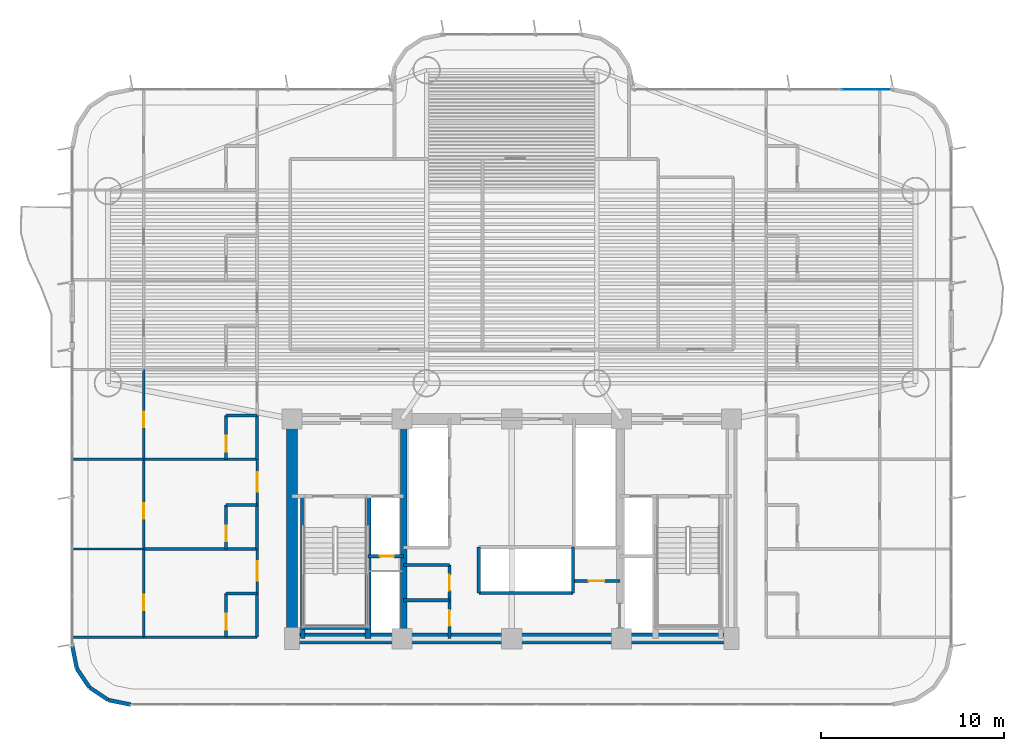
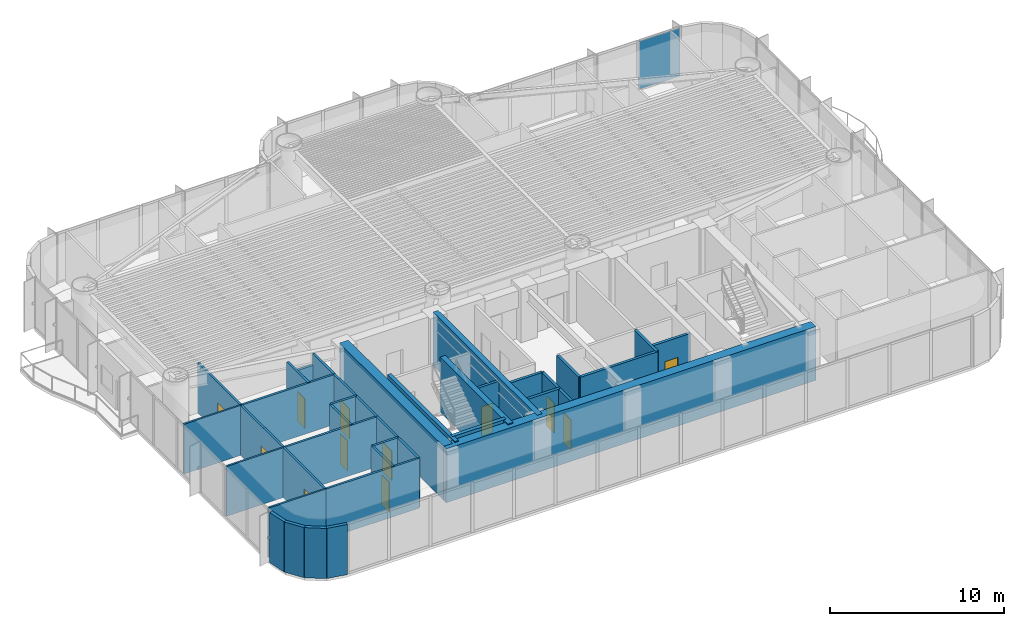
# One storey, part 10 of 19: 38 walls, 12 doors, 1 plate, 12 openings, 1 element without a shape of its own.
"""IFC4 building model written with IfcOpenShell, lengths in metres."""

from ifc_helpers import new_model, si_unit, direction, frame, frame_2d, origin, origin_2d, place, context, subcontext, project, spatial, rectangle, extrude, source, transform, mapped, material, layer, layer_set, type_object, element, fill, aggregate, save


model = new_model("IFC4")

# Units and contexts
model_context = context("Model", 3, precision=1e-05, world=origin(), true_north=direction((0.0, 1.0)))
body_context = subcontext(model_context, "Body", "Model", "MODEL_VIEW")
ifc_project = project(units=[si_unit("LENGTHUNIT", "METRE"), si_unit("AREAUNIT", "SQUARE_METRE"), si_unit("VOLUMEUNIT", "CUBIC_METRE"), si_unit("PLANEANGLEUNIT", "RADIAN"), si_unit("MASSUNIT", "GRAM", prefix="KILO")], contexts=[model_context])

# Site, building, storey
site_placement = place(None, origin())
site = spatial("IfcSite", under=ifc_project, at=site_placement, CompositionType="ELEMENT")
building_placement = place(site_placement, origin())
building = spatial("IfcBuilding", under=site, at=building_placement, Name="Brelvock Crest Care Tower", CompositionType="ELEMENT")
storey_placement = place(building_placement, frame((0.0, 0.0, 64.800048828125)))
storey = spatial("IfcBuildingStorey", under=building, at=storey_placement, Name="L16", CompositionType="ELEMENT", Elevation=64.800048828125)

# Curtain wall, plate
ifc_material_1 = material(Name="Dark Glass Double Glazed Low-E", Category="glass")
ifc_layer_1 = layer(ifc_material_1, 0.195068359375, Name="CWS-2")
ifc_layer_set_1 = layer_set([ifc_layer_1], Name="Dark Glass Double Glazed Low-E")
curtain_wall_type = type_object("IfcCurtainWallType", Name="CWS-2", PredefinedType="NOTDEFINED", material=ifc_layer_set_1)
curtain_wall_placement = place(storey_placement, origin())
curtain_wall = element("IfcCurtainWall", 1, at=curtain_wall_placement, inside=storey, type_object=curtain_wall_type, Name="L16 Curtain Wall E30", PredefinedType="NOTDEFINED")
ifc_layer_2 = layer(ifc_material_1, 0.031982421875, Name="CWP-V1")
ifc_layer_set_2 = layer_set([ifc_layer_2], Name="Dark Glass Double Glazed Low-E")
plate_type = type_object("IfcPlateType", Name="CWP-V1", PredefinedType="CURTAIN_PANEL", material=ifc_layer_set_2)
shared_shape_1 = source(origin(), body_context, "Body", "SweptSolid", [
    extrude(rectangle(XDim=2.742431640625, YDim=0.035888671875, at=origin_2d()), origin(), (0.0, 0.0, 1.0), 3.39990234375),
])
plate_placement = place(storey_placement, frame((55.36376953125, 36.0, 0.06494140625), z_axis=(0.0, 0.0, 1.0), x_axis=(1.0, 0.0, 0.0)))
plate = element("IfcPlate", 2, at=plate_placement, type_object=plate_type, Name="CW-2 panel 5.1", PredefinedType="CURTAIN_PANEL", context=body_context, shape_type="MappedRepresentation", body=[
    mapped(shared_shape_1, transform((0.0, 0.0, 0.0), x_axis=(1.0, 0.0, 0.0), y_axis=(0.0, 1.0, 0.0), z_axis=(0.0, 0.0, 1.0), scale=1.0)),
])
aggregate(curtain_wall, [plate])

# Walls
ifc_material_2 = material(Name="Concrete S80 (80 MPa)", Category="concrete")
ifc_layer_3 = layer(ifc_material_2, 0.60009765625, Name="WL-CS1")
ifc_layer_set_3 = layer_set([ifc_layer_3], Name="Concrete S80 (80 MPa)")
wall_type_1 = type_object("IfcWallType", Name="WL-CS1", PredefinedType="SHEAR", material=ifc_layer_set_3)
wall_1_placement = place(storey_placement, frame((48.300048828125, 6.0, 0.0), z_axis=(0.0, 0.0, 1.0), x_axis=(-1.0, 0.0, 0.0)))
element("IfcWall", 3, at=wall_1_placement, inside=storey, type_object=wall_type_1, Name="L16 Core South Shear Wall", PredefinedType="SHEAR", context=body_context, shape_type="SweptSolid", body=[
    extrude(rectangle(XDim=24.60009765625, YDim=0.60009765625, at=frame_2d((12.300048828125, 0.0))), origin(), (0.0, 0.0, 1.0), 3.780029296875),
])
wall_2_placement = place(storey_placement, frame((24.0, 6.0, 0.0), z_axis=(0.0, 0.0, 1.0), x_axis=(0.0, 1.0, 0.0)))
element("IfcWall", 4, at=wall_2_placement, inside=storey, type_object=wall_type_1, Name="L16 Core West Shear Wall", PredefinedType="SHEAR", context=body_context, shape_type="SweptSolid", body=[
    extrude(rectangle(XDim=12.0, YDim=0.60009765625, at=frame_2d((6.0, 0.0))), origin(), (0.0, 0.0, 1.0), 3.780029296875),
])
ifc_layer_4 = layer(ifc_material_2, 0.35009765625, Name="WL-CS5")
ifc_layer_set_4 = layer_set([ifc_layer_4], Name="Concrete S80 (80 MPa)")
wall_type_2 = type_object("IfcWallType", Name="WL-CS5", PredefinedType="SHEAR", material=ifc_layer_set_4)
wall_3_placement = place(storey_placement, frame((30.10009765625, 6.0, 0.0), z_axis=(0.0, 0.0, 1.0), x_axis=(0.0, 1.0, 0.0)))
element("IfcWall", 5, at=wall_3_placement, inside=storey, type_object=wall_type_2, Name="L16 Core Internal Web Wall West", PredefinedType="SHEAR", context=body_context, shape_type="SweptSolid", body=[
    extrude(rectangle(XDim=12.0, YDim=0.35009765625, at=frame_2d((6.0, 0.0))), origin(), (0.0, 0.0, 1.0), 3.780029296875),
])
wall_4_placement = place(storey_placement, frame((28.14990234375, 6.0, 0.0), z_axis=(0.0, 0.0, 1.0), x_axis=(0.0, 1.0, 0.0)))
element("IfcWall", 6, at=wall_4_placement, inside=storey, type_object=wall_type_2, Name="L16 Core Stair ST-1 East Shear Wall", PredefinedType="SHEAR", context=body_context, shape_type="SweptSolid", body=[
    extrude(rectangle(XDim=7.780029296875, YDim=0.35009765625, at=frame_2d((3.89013671875, 0.0))), origin(), (0.0, 0.0, 1.0), 3.849853515625),
])
ifc_layer_5 = layer(ifc_material_2, 0.25, Name="WL-CS6")
ifc_layer_set_5 = layer_set([ifc_layer_5], Name="Concrete S80 (80 MPa)")
wall_type_3 = type_object("IfcWallType", Name="WL-CS6", PredefinedType="SHEAR", material=ifc_layer_set_5)
wall_5_placement = place(storey_placement, frame((24.580078125, 6.0, 0.0), z_axis=(0.0, 0.0, 1.0), x_axis=(0.0, 1.0, 0.0)))
element("IfcWall", 7, at=wall_5_placement, inside=storey, type_object=wall_type_3, Name="L16 Core Stair ST-1 West Shear Wall", PredefinedType="SHEAR", context=body_context, shape_type="SweptSolid", body=[
    extrude(rectangle(XDim=7.780029296875, YDim=0.25, at=frame_2d((3.89013671875, 0.0))), origin(), (0.0, 0.0, 1.0), 3.849853515625),
])
wall_6_placement = place(storey_placement, frame((24.580078125, 6.6201171875, 0.0), z_axis=(0.0, 0.0, 1.0), x_axis=(1.0, 0.0, 0.0)))
element("IfcWall", 8, at=wall_6_placement, inside=storey, type_object=wall_type_3, Name="L16 Core Stair ST-1 South Shear Wall", PredefinedType="SHEAR", context=body_context, shape_type="SweptSolid", body=[
    extrude(rectangle(XDim=3.56982421875, YDim=0.25, at=frame_2d((1.784912109375, 0.0))), origin(), (0.0, 0.0, 1.0), 3.849853515625),
])
ifc_material_3 = material(Name="Precast concrete N40 (40 MPa)", Category="concrete")
ifc_layer_6 = layer(ifc_material_3, 0.215087890625, Name="WL-EX2")
ifc_layer_set_6 = layer_set([ifc_layer_6], Name="Precast concrete N40 (40 MPa)")
wall_type_4 = type_object("IfcWallType", Name="WL-EX2", PredefinedType="SOLIDWALL", material=ifc_layer_set_6)
for number, where, z_axis, x_axis, name in (
    (9, (15.199951171875, 2.39990234375, 0.0), (0.0, 0.0, 1.0), (-0.980775717779, 0.195138390419, 0.0), "L16 Rounded Corner Wall 09"),
    (10, (13.975341796875, 2.6435546875, 0.0), (0.0, 0.0, 1.0), (-0.831387912822, 0.555692485475, 0.0), "L16 Rounded Corner Wall 10"),
    (11, (12.937255859375, 3.33740234375, 0.0), (0.0, 0.0, 1.0), (-0.555557312883, 0.831478245117, 0.0), "L16 Rounded Corner Wall 11"),
    (12, (12.24365234375, 4.37548828125, 0.0), (0.0, 0.0, 1.0), (-0.195138390419, 0.980775717779, 0.0), "L16 Rounded Corner Wall 12"),
):
    element("IfcWall", number, at=place(storey_placement, frame(where, z_axis=z_axis, x_axis=x_axis)), inside=storey, type_object=wall_type_4, Name=name, PredefinedType="SOLIDWALL", context=body_context, shape_type="SweptSolid", body=[
        extrude(rectangle(XDim=1.24853515625, YDim=0.215087890625, at=frame_2d((0.624267578125, 0.0))), origin(), (0.0, 0.0, 1.0), 3.530029296875),
    ])
ifc_material_4 = material(Name="Masonry Blockwork Acoustic Partition", Category="masonry")
ifc_layer_7 = layer(ifc_material_4, 0.14990234375, Name="WL-INT1")
ifc_layer_set_7 = layer_set([ifc_layer_7], Name="Masonry Blockwork Acoustic Partition")
wall_type_5 = type_object("IfcWallType", Name="WL-INT1", PredefinedType="PARTITIONING", material=ifc_layer_set_7)
for number, where, z_axis, x_axis, name in (
    (13, (15.89990234375, 6.080078125, 0.0), (0.0, 0.0, 1.0), (1.0, 0.0, 0.0), "L16 Interior Wall WL-BX-L16-CS-WC1-S"),
    (14, (15.89990234375, 10.89990234375, 0.0), (0.0, 0.0, 1.0), (1.0, 0.0, 0.0), "L16 Interior Wall WL-BX-L16-CS-WC1-N"),
    (15, (15.89990234375, 15.800048828125, 0.0), (0.0, 0.0, 1.0), (1.0, 0.0, 0.0), "L16 Interior Wall WL-BX-L16-CS-WC2-N"),
):
    element("IfcWall", number, at=place(storey_placement, frame(where, z_axis=z_axis, x_axis=x_axis)), inside=storey, type_object=wall_type_5, Name=name, PredefinedType="PARTITIONING", context=body_context, shape_type="SweptSolid", body=[
        extrude(rectangle(XDim=6.2001953125, YDim=0.14990234375, at=frame_2d((3.10009765625, 0.0))), origin(), (0.0, 0.0, 1.0), 3.5),
    ])

# Wall, opening, door
wall_7_placement = place(storey_placement, frame((15.89990234375, 6.080078125, 0.0), z_axis=(0.0, 0.0, 1.0), x_axis=(0.0, 1.0, 0.0)))
wall_7 = element("IfcWall", 16, at=wall_7_placement, inside=storey, type_object=wall_type_5, Name="L16 Interior Wall WL-RM-L16-WC1S", PredefinedType="PARTITIONING", context=body_context, shape_type="SweptSolid", body=[
    extrude(rectangle(XDim=4.81982421875, YDim=0.14990234375, at=frame_2d((2.409912109375, 0.0))), origin(), (0.0, 0.0, 1.0), 3.5),
])
opening_1_placement = place(wall_7_placement, frame((1.4599609375, 0.0, 0.0)))
opening_1 = element("IfcOpeningElement", 17, at=opening_1_placement, cuts=wall_7, Name="Opening ID-1", PredefinedType="OPENING", context=body_context, shape_type="SweptSolid", body=[
    extrude(rectangle(XDim=0.860107421875, YDim=2.10009765625, at=origin_2d()), frame((0.43017578125, 0.0849609375, 1.050048828125), z_axis=(0.0, -1.0, 0.0), x_axis=(1.0, 0.0, 0.0)), (0.0, 0.0, 1.0), 0.169921875),
])
ifc_material_5 = material(Name="Engineered Hardwood Timber", Category="wood")
door_type_1 = type_object("IfcDoorType", Name="DR-INT1", OperationType="NOTDEFINED", PredefinedType="DOOR", material=ifc_material_5)
shared_shape_2 = source(origin(), body_context, "Body", "SweptSolid", [
    extrude(rectangle(XDim=0.860107421875, YDim=2.10009765625, at=origin_2d()), frame((0.43017578125, 0.02490234375, 1.050048828125), z_axis=(0.0, -1.0, 0.0), x_axis=(1.0, 0.0, 0.0)), (0.0, 0.0, 1.0), 0.050048828125),
])
door_1_placement = place(opening_1_placement, origin())
door_1 = element("IfcDoor", 18, at=door_1_placement, inside=storey, type_object=door_type_1, Name="L16 Skilled Nursing Mobility Store Door WC1S", OperationType="SINGLE_SWING_LEFT", OverallHeight=2.10009765625, OverallWidth=0.860107421875, PredefinedType="DOOR", context=body_context, shape_type="MappedRepresentation", body=[
    mapped(shared_shape_2, transform((0.0, 0.0, 0.0), x_axis=(1.0, 0.0, 0.0), y_axis=(0.0, 1.0, 0.0), z_axis=(0.0, 0.0, 1.0), scale=1.0)),
])
fill(opening_1, door_1)

wall_8_placement = place(storey_placement, frame((15.89990234375, 10.89990234375, 0.0), z_axis=(0.0, 0.0, 1.0), x_axis=(0.0, 1.0, 0.0)))
wall_8 = element("IfcWall", 19, at=wall_8_placement, inside=storey, type_object=wall_type_5, Name="L16 Interior Wall WL-RM-L16-WC2S", PredefinedType="PARTITIONING", context=body_context, shape_type="SweptSolid", body=[
    extrude(rectangle(XDim=4.900146484375, YDim=0.14990234375, at=frame_2d((2.4501953125, 0.0))), origin(), (0.0, 0.0, 1.0), 3.5),
])
opening_2_placement = place(wall_8_placement, frame((1.639892578125, 0.0, 0.0)))
opening_2 = element("IfcOpeningElement", 20, at=opening_2_placement, cuts=wall_8, Name="Opening ID-1", PredefinedType="OPENING", context=body_context, shape_type="SweptSolid", body=[
    extrude(rectangle(XDim=0.860107421875, YDim=2.10009765625, at=origin_2d()), frame((0.43017578125, 0.0849609375, 1.050048828125), z_axis=(0.0, -1.0, 0.0), x_axis=(1.0, 0.0, 0.0)), (0.0, 0.0, 1.0), 0.169921875),
])
door_2_placement = place(opening_2_placement, origin())
door_2 = element("IfcDoor", 21, at=door_2_placement, inside=storey, type_object=door_type_1, Name="L16 Skilled Nursing Mobility Store Door WC2S", OperationType="SINGLE_SWING_LEFT", OverallHeight=2.10009765625, OverallWidth=0.860107421875, PredefinedType="DOOR", context=body_context, shape_type="MappedRepresentation", body=[
    mapped(shared_shape_2, transform((0.0, 0.0, 0.0), x_axis=(1.0, 0.0, 0.0), y_axis=(0.0, 1.0, 0.0), z_axis=(0.0, 0.0, 1.0), scale=1.0)),
])
fill(opening_2, door_2)

wall_9_placement = place(storey_placement, frame((15.89990234375, 15.800048828125, 0.0), z_axis=(0.0, 0.0, 1.0), x_axis=(0.0, 1.0, 0.0)))
wall_9 = element("IfcWall", 22, at=wall_9_placement, inside=storey, type_object=wall_type_5, Name="L16 Interior Wall WL-RM-L16-WC3S", PredefinedType="PARTITIONING", context=body_context, shape_type="SweptSolid", body=[
    extrude(rectangle(XDim=4.89990234375, YDim=0.14990234375, at=frame_2d((2.449951171875, 0.0))), origin(), (0.0, 0.0, 1.0), 3.5),
])
opening_3_placement = place(wall_9_placement, frame((1.739990234375, 0.0, 0.0)))
opening_3 = element("IfcOpeningElement", 23, at=opening_3_placement, cuts=wall_9, Name="Opening ID-1", PredefinedType="OPENING", context=body_context, shape_type="SweptSolid", body=[
    extrude(rectangle(XDim=0.860107421875, YDim=2.10009765625, at=origin_2d()), frame((0.43017578125, 0.0849609375, 1.050048828125), z_axis=(0.0, -1.0, 0.0), x_axis=(1.0, 0.0, 0.0)), (0.0, 0.0, 1.0), 0.169921875),
])
door_3_placement = place(opening_3_placement, origin())
door_3 = element("IfcDoor", 24, at=door_3_placement, inside=storey, type_object=door_type_1, Name="L16 Skilled Nursing Mobility Store Door WC3S", OperationType="SINGLE_SWING_LEFT", OverallHeight=2.10009765625, OverallWidth=0.860107421875, PredefinedType="DOOR", context=body_context, shape_type="MappedRepresentation", body=[
    mapped(shared_shape_2, transform((0.0, 0.0, 0.0), x_axis=(1.0, 0.0, 0.0), y_axis=(0.0, 1.0, 0.0), z_axis=(0.0, 0.0, 1.0), scale=1.0)),
])
fill(opening_3, door_3)

wall_10_placement = place(storey_placement, frame((22.10009765625, 8.47998046875, 0.0), z_axis=(0.0, 0.0, 1.0), x_axis=(0.0, 1.0, 0.0)))
wall_10 = element("IfcWall", 25, at=wall_10_placement, inside=storey, type_object=wall_type_5, Name="L16 Interior Wall WL-CENT-L16-WC1", PredefinedType="PARTITIONING", context=body_context, shape_type="SweptSolid", body=[
    extrude(rectangle(XDim=2.419921875, YDim=0.14990234375, at=frame_2d((1.2099609375, 0.0))), origin(), (0.0, 0.0, 1.0), 3.5),
])
opening_4_placement = place(wall_10_placement, frame((0.68994140625, 0.0, 0.0)))
opening_4 = element("IfcOpeningElement", 26, at=opening_4_placement, cuts=wall_10, Name="Opening CD-1", PredefinedType="OPENING", context=body_context, shape_type="SweptSolid", body=[
    extrude(rectangle(XDim=1.050048828125, YDim=2.10009765625, at=origin_2d()), frame((0.52490234375, 0.0849609375, 1.050048828125), z_axis=(0.0, -1.0, 0.0), x_axis=(1.0, 0.0, 0.0)), (0.0, 0.0, 1.0), 0.169921875),
])
door_type_2 = type_object("IfcDoorType", Name="DR-CARE1", OperationType="NOTDEFINED", PredefinedType="DOOR", material=ifc_material_5)
shared_shape_3 = source(origin(), body_context, "Body", "SweptSolid", [
    extrude(rectangle(XDim=1.050048828125, YDim=2.10009765625, at=origin_2d()), frame((0.52490234375, 0.02490234375, 1.050048828125), z_axis=(0.0, -1.0, 0.0), x_axis=(1.0, 0.0, 0.0)), (0.0, 0.0, 1.0), 0.050048828125),
])
door_4_placement = place(opening_4_placement, origin())
door_4 = element("IfcDoor", 27, at=door_4_placement, inside=storey, type_object=door_type_2, Name="L16 Care Suite Door WC1", OperationType="SINGLE_SWING_LEFT", OverallHeight=2.10009765625, OverallWidth=1.050048828125, PredefinedType="DOOR", context=body_context, shape_type="MappedRepresentation", body=[
    mapped(shared_shape_3, transform((0.0, 0.0, 0.0), x_axis=(1.0, 0.0, 0.0), y_axis=(0.0, 1.0, 0.0), z_axis=(0.0, 0.0, 1.0), scale=1.0)),
])
fill(opening_4, door_4)

wall_11_placement = place(storey_placement, frame((22.10009765625, 13.300048828125, 0.0), z_axis=(0.0, 0.0, 1.0), x_axis=(0.0, 1.0, 0.0)))
wall_11 = element("IfcWall", 28, at=wall_11_placement, inside=storey, type_object=wall_type_5, Name="L16 Interior Wall WL-CENT-L16-WC2", PredefinedType="PARTITIONING", context=body_context, shape_type="SweptSolid", body=[
    extrude(rectangle(XDim=2.5, YDim=0.14990234375, at=frame_2d((1.25, 0.0))), origin(), (0.0, 0.0, 1.0), 3.5),
])
opening_5_placement = place(wall_11_placement, frame((0.72998046875, 0.0, 0.0)))
opening_5 = element("IfcOpeningElement", 29, at=opening_5_placement, cuts=wall_11, Name="Opening CD-1", PredefinedType="OPENING", context=body_context, shape_type="SweptSolid", body=[
    extrude(rectangle(XDim=1.050048828125, YDim=2.10009765625, at=origin_2d()), frame((0.52490234375, 0.0849609375, 1.050048828125), z_axis=(0.0, -1.0, 0.0), x_axis=(1.0, 0.0, 0.0)), (0.0, 0.0, 1.0), 0.169921875),
])
door_5_placement = place(opening_5_placement, origin())
door_5 = element("IfcDoor", 30, at=door_5_placement, inside=storey, type_object=door_type_2, Name="L16 Care Suite Door WC2", OperationType="SINGLE_SWING_LEFT", OverallHeight=2.10009765625, OverallWidth=1.050048828125, PredefinedType="DOOR", context=body_context, shape_type="MappedRepresentation", body=[
    mapped(shared_shape_3, transform((0.0, 0.0, 0.0), x_axis=(1.0, 0.0, 0.0), y_axis=(0.0, 1.0, 0.0), z_axis=(0.0, 0.0, 1.0), scale=1.0)),
])
fill(opening_5, door_5)

# Walls
ifc_material_6 = material(Name="Gypsum Plasterboard Partition", Category="gypsum")
ifc_layer_8 = layer(ifc_material_6, 0.1201171875, Name="WL-INT2")
ifc_layer_set_8 = layer_set([ifc_layer_8], Name="Gypsum Plasterboard Partition")
wall_type_6 = type_object("IfcWallType", Name="WL-INT2", PredefinedType="PARTITIONING", material=ifc_layer_set_8)
for number, where, z_axis, x_axis, name in (
    (31, (12.080078125, 6.080078125, 0.0), (0.0, 0.0, 1.0), (1.0, 0.0, 0.0), "L16 Interior Wall WL-BX-L16-WC1S-S"),
    (32, (12.080078125, 10.89990234375, 0.0), (0.0, 0.0, 1.0), (1.0, 0.0, 0.0), "L16 Interior Wall WL-BX-L16-WC1S-N"),
    (33, (12.080078125, 15.800048828125, 0.0), (0.0, 0.0, 1.0), (1.0, 0.0, 0.0), "L16 Interior Wall WL-BX-L16-WC2S-N"),
):
    element("IfcWall", number, at=place(storey_placement, frame(where, z_axis=z_axis, x_axis=x_axis)), inside=storey, type_object=wall_type_6, Name=name, PredefinedType="PARTITIONING", context=body_context, shape_type="SweptSolid", body=[
        extrude(rectangle(XDim=3.81982421875, YDim=0.1201171875, at=frame_2d((1.909912109375, 0.0))), origin(), (0.0, 0.0, 1.0), 3.5),
    ])
ifc_layer_9 = layer(ifc_material_6, 0.159912109375, Name="WL-PLM1")
ifc_layer_set_9 = layer_set([ifc_layer_9], Name="Gypsum Plasterboard Partition")
wall_type_7 = type_object("IfcWallType", Name="WL-PLM1", PredefinedType="PLUMBINGWALL", material=ifc_layer_set_9)
for number, where, z_axis, x_axis, name in (
    (34, (20.39990234375, 8.47998046875, 0.0), (0.0, 0.0, 1.0), (1.0, 0.0, 0.0), "L16 Interior Wall WL-CENS2-L16-WC1"),
    (35, (20.39990234375, 13.300048828125, 0.0), (0.0, 0.0, 1.0), (1.0, 0.0, 0.0), "L16 Interior Wall WL-CENS2-L16-WC2"),
):
    element("IfcWall", number, at=place(storey_placement, frame(where, z_axis=z_axis, x_axis=x_axis)), inside=storey, type_object=wall_type_7, Name=name, PredefinedType="PLUMBINGWALL", context=body_context, shape_type="SweptSolid", body=[
        extrude(rectangle(XDim=1.7001953125, YDim=0.159912109375, at=frame_2d((0.85009765625, 0.0))), origin(), (0.0, 0.0, 1.0), 3.5),
    ])
wall_12_placement = place(storey_placement, frame((20.39990234375, 18.199951171875, 0.0), z_axis=(0.0, 0.0, 1.0), x_axis=(1.0, 0.0, 0.0)))
element("IfcWall", 36, at=wall_12_placement, inside=storey, type_object=wall_type_7, Name="L16 Interior Wall WL-CENS2-L16-WC3", PredefinedType="PLUMBINGWALL", context=body_context, shape_type="SweptSolid", body=[
    extrude(rectangle(XDim=1.7001953125, YDim=0.159912109375, at=frame_2d((0.85009765625, 0.0))), origin(), (0.0, 0.0, 1.0), 2.71484375),
])

# Wall, opening, door
wall_13_placement = place(storey_placement, frame((20.39990234375, 6.080078125, 0.0), z_axis=(0.0, 0.0, 1.0), x_axis=(0.0, 1.0, 0.0)))
wall_13 = element("IfcWall", 37, at=wall_13_placement, inside=storey, type_object=wall_type_7, Name="L16 Interior Wall WL-CENS1-L16-WC1", PredefinedType="PLUMBINGWALL", context=body_context, shape_type="SweptSolid", body=[
    extrude(rectangle(XDim=2.39990234375, YDim=0.159912109375, at=frame_2d((1.199951171875, 0.0))), origin(), (0.0, 0.0, 1.0), 3.5),
])
opening_6_placement = place(wall_13_placement, frame((0.419921875, 0.0, 0.0)))
opening_6 = element("IfcOpeningElement", 38, at=opening_6_placement, cuts=wall_13, Name="Opening WD-1", PredefinedType="OPENING", context=body_context, shape_type="SweptSolid", body=[
    extrude(rectangle(XDim=0.860107421875, YDim=2.10009765625, at=origin_2d()), frame((0.43017578125, 0.08984375, 1.050048828125), z_axis=(0.0, -1.0, 0.0), x_axis=(1.0, 0.0, 0.0)), (0.0, 0.0, 1.0), 0.179931640625),
])
door_type_3 = type_object("IfcDoorType", Name="DR-WC1", OperationType="NOTDEFINED", PredefinedType="DOOR", material=ifc_material_5)
shared_shape_4 = source(origin(), body_context, "Body", "SweptSolid", [
    extrude(rectangle(XDim=0.860107421875, YDim=2.10009765625, at=origin_2d()), frame((0.43017578125, 0.02490234375, 1.050048828125), z_axis=(0.0, -1.0, 0.0), x_axis=(1.0, 0.0, 0.0)), (0.0, 0.0, 1.0), 0.050048828125),
])
door_6_placement = place(opening_6_placement, origin())
door_6 = element("IfcDoor", 39, at=door_6_placement, inside=storey, type_object=door_type_3, Name="L16 Care En-Suite Door WC1", OperationType="SINGLE_SWING_LEFT", OverallHeight=2.10009765625, OverallWidth=0.860107421875, PredefinedType="DOOR", context=body_context, shape_type="MappedRepresentation", body=[
    mapped(shared_shape_4, transform((0.0, 0.0, 0.0), x_axis=(1.0, 0.0, 0.0), y_axis=(0.0, 1.0, 0.0), z_axis=(0.0, 0.0, 1.0), scale=1.0)),
])
fill(opening_6, door_6)

wall_14_placement = place(storey_placement, frame((20.39990234375, 10.89990234375, 0.0), z_axis=(0.0, 0.0, 1.0), x_axis=(0.0, 1.0, 0.0)))
wall_14 = element("IfcWall", 40, at=wall_14_placement, inside=storey, type_object=wall_type_7, Name="L16 Interior Wall WL-CENS1-L16-WC2", PredefinedType="PLUMBINGWALL", context=body_context, shape_type="SweptSolid", body=[
    extrude(rectangle(XDim=2.400146484375, YDim=0.159912109375, at=frame_2d((1.2001953125, 0.0))), origin(), (0.0, 0.0, 1.0), 3.5),
])
opening_7_placement = place(wall_14_placement, frame((0.419921875, 0.0, 0.0)))
opening_7 = element("IfcOpeningElement", 41, at=opening_7_placement, cuts=wall_14, Name="Opening WD-1", PredefinedType="OPENING", context=body_context, shape_type="SweptSolid", body=[
    extrude(rectangle(XDim=0.860107421875, YDim=2.10009765625, at=origin_2d()), frame((0.43017578125, 0.08984375, 1.050048828125), z_axis=(0.0, -1.0, 0.0), x_axis=(1.0, 0.0, 0.0)), (0.0, 0.0, 1.0), 0.179931640625),
])
door_7_placement = place(opening_7_placement, origin())
door_7 = element("IfcDoor", 42, at=door_7_placement, inside=storey, type_object=door_type_3, Name="L16 Care En-Suite Door WC2", OperationType="SINGLE_SWING_LEFT", OverallHeight=2.10009765625, OverallWidth=0.860107421875, PredefinedType="DOOR", context=body_context, shape_type="MappedRepresentation", body=[
    mapped(shared_shape_4, transform((0.0, 0.0, 0.0), x_axis=(1.0, 0.0, 0.0), y_axis=(0.0, 1.0, 0.0), z_axis=(0.0, 0.0, 1.0), scale=1.0)),
])
fill(opening_7, door_7)

wall_15_placement = place(storey_placement, frame((20.39990234375, 15.800048828125, 0.0), z_axis=(0.0, 0.0, 1.0), x_axis=(0.0, 1.0, 0.0)))
wall_15 = element("IfcWall", 43, at=wall_15_placement, inside=storey, type_object=wall_type_7, Name="L16 Interior Wall WL-CENS1-L16-WC3", PredefinedType="PLUMBINGWALL", context=body_context, shape_type="SweptSolid", body=[
    extrude(rectangle(XDim=2.39990234375, YDim=0.159912109375, at=frame_2d((1.199951171875, 0.0))), origin(), (0.0, 0.0, 1.0), 3.5),
])
opening_8_placement = place(wall_15_placement, frame((0.419921875, 0.0, 0.0)))
opening_8 = element("IfcOpeningElement", 44, at=opening_8_placement, cuts=wall_15, Name="Opening WD-1", PredefinedType="OPENING", context=body_context, shape_type="SweptSolid", body=[
    extrude(rectangle(XDim=0.860107421875, YDim=2.10009765625, at=origin_2d()), frame((0.43017578125, 0.08984375, 1.050048828125), z_axis=(0.0, -1.0, 0.0), x_axis=(1.0, 0.0, 0.0)), (0.0, 0.0, 1.0), 0.179931640625),
])
door_8_placement = place(opening_8_placement, origin())
door_8 = element("IfcDoor", 45, at=door_8_placement, inside=storey, type_object=door_type_3, Name="L16 Care En-Suite Door WC3", OperationType="SINGLE_SWING_LEFT", OverallHeight=2.10009765625, OverallWidth=0.860107421875, PredefinedType="DOOR", context=body_context, shape_type="MappedRepresentation", body=[
    mapped(shared_shape_4, transform((0.0, 0.0, 0.0), x_axis=(1.0, 0.0, 0.0), y_axis=(0.0, 1.0, 0.0), z_axis=(0.0, 0.0, 1.0), scale=1.0)),
])
fill(opening_8, door_8)

# Walls
wall_16_placement = place(storey_placement, frame((22.10009765625, 6.080078125, 0.0), z_axis=(0.0, 0.0, 1.0), x_axis=(0.0, 1.0, 0.0)))
element("IfcWall", 46, at=wall_16_placement, inside=storey, type_object=wall_type_7, Name="L16 Interior Wall WL-CENS0-L16-WC1", PredefinedType="PLUMBINGWALL", context=body_context, shape_type="SweptSolid", body=[
    extrude(rectangle(XDim=2.39990234375, YDim=0.159912109375, at=frame_2d((1.199951171875, 0.0))), origin(), (0.0, 0.0, 1.0), 3.5),
])
wall_17_placement = place(storey_placement, frame((22.10009765625, 10.89990234375, 0.0), z_axis=(0.0, 0.0, 1.0), x_axis=(0.0, 1.0, 0.0)))
element("IfcWall", 47, at=wall_17_placement, inside=storey, type_object=wall_type_7, Name="L16 Interior Wall WL-CENS0-L16-WC2", PredefinedType="PLUMBINGWALL", context=body_context, shape_type="SweptSolid", body=[
    extrude(rectangle(XDim=2.400146484375, YDim=0.159912109375, at=frame_2d((1.2001953125, 0.0))), origin(), (0.0, 0.0, 1.0), 3.5),
])
wall_18_placement = place(storey_placement, frame((22.10009765625, 15.800048828125, 0.0), z_axis=(0.0, 0.0, 1.0), x_axis=(0.0, 1.0, 0.0)))
element("IfcWall", 48, at=wall_18_placement, inside=storey, type_object=wall_type_7, Name="L16 Interior Wall WL-CENS0-L16-WC3", PredefinedType="PLUMBINGWALL", context=body_context, shape_type="SweptSolid", body=[
    extrude(rectangle(XDim=2.39990234375, YDim=0.159912109375, at=frame_2d((1.199951171875, 0.0))), origin(), (0.0, 0.0, 1.0), 3.5),
])
ifc_layer_10 = layer(ifc_material_4, 0.179931640625, Name="WL-SHF1")
ifc_layer_set_10 = layer_set([ifc_layer_10], Name="Masonry Blockwork Acoustic Partition")
wall_type_8 = type_object("IfcWallType", Name="WL-SHF1", PredefinedType="PARTITIONING", material=ifc_layer_set_10)
wall_19_placement = place(storey_placement, frame((34.199951171875, 8.5, 0.0), z_axis=(0.0, 0.0, 1.0), x_axis=(1.0, 0.0, 0.0)))
element("IfcWall", 49, at=wall_19_placement, inside=storey, type_object=wall_type_8, Name="L16 Interior Wall WL-PLM-S-L16", PredefinedType="PARTITIONING", context=body_context, shape_type="SweptSolid", body=[
    extrude(rectangle(XDim=5.150146484375, YDim=0.179931640625, at=frame_2d((2.5751953125, 0.0))), origin(), (0.0, 0.0, 1.0), 3.5),
])
for number, where, z_axis, x_axis, name in (
    (50, (34.199951171875, 8.5, 0.0), (0.0, 0.0, 1.0), (0.0, 1.0, 0.0), "L16 Interior Wall WL-PLM-W-L16"),
    (51, (39.35009765625, 8.5, 0.0), (0.0, 0.0, 1.0), (0.0, 1.0, 0.0), "L16 Interior Wall WL-PLM-E-L16"),
    (52, (30.10009765625, 8.10009765625, 0.0), (0.0, 0.0, 1.0), (1.0, 0.0, 0.0), "L16 Interior Wall WL-CSBW-SP-L16"),
    (53, (30.10009765625, 10.02001953125, 0.0), (0.0, 0.0, 1.0), (1.0, 0.0, 0.0), "L16 Interior Wall WL-CSBW-N2-L16"),
):
    element("IfcWall", number, at=place(storey_placement, frame(where, z_axis=z_axis, x_axis=x_axis)), inside=storey, type_object=wall_type_8, Name=name, PredefinedType="PARTITIONING", context=body_context, shape_type="SweptSolid", body=[
        extrude(rectangle(XDim=2.5, YDim=0.179931640625, at=frame_2d((1.25, 0.0))), origin(), (0.0, 0.0, 1.0), 3.5),
    ])

# Wall, openings, doors
wall_20_placement = place(storey_placement, frame((32.60009765625, 6.0, 0.0), z_axis=(0.0, 0.0, 1.0), x_axis=(0.0, 1.0, 0.0)))
wall_20 = element("IfcWall", 54, at=wall_20_placement, inside=storey, type_object=wall_type_8, Name="L16 Interior Wall WL-CSBW-E-L16", PredefinedType="PARTITIONING", context=body_context, shape_type="SweptSolid", body=[
    extrude(rectangle(XDim=4.02001953125, YDim=0.179931640625, at=frame_2d((2.010009765625, 0.0))), origin(), (0.0, 0.0, 1.0), 3.5),
])
opening_9_placement = place(wall_20_placement, frame((0.699951171875, 0.0, 0.0)))
opening_9 = element("IfcOpeningElement", 55, at=opening_9_placement, cuts=wall_20, Name="Opening ID-1", PredefinedType="OPENING", context=body_context, shape_type="SweptSolid", body=[
    extrude(rectangle(XDim=0.860107421875, YDim=2.10009765625, at=origin_2d()), frame((0.43017578125, 0.10009765625, 1.050048828125), z_axis=(0.0, -1.0, 0.0), x_axis=(1.0, 0.0, 0.0)), (0.0, 0.0, 1.0), 0.199951171875),
])
opening_10_placement = place(wall_20_placement, frame((2.6201171875, 0.0, 0.0)))
opening_10 = element("IfcOpeningElement", 56, at=opening_10_placement, cuts=wall_20, Name="Opening ID-1", PredefinedType="OPENING", context=body_context, shape_type="SweptSolid", body=[
    extrude(rectangle(XDim=0.860107421875, YDim=2.10009765625, at=origin_2d()), frame((0.43017578125, 0.10009765625, 1.050048828125), z_axis=(0.0, -1.0, 0.0), x_axis=(1.0, 0.0, 0.0)), (0.0, 0.0, 1.0), 0.199951171875),
])
door_9_placement = place(opening_9_placement, origin())
door_9 = element("IfcDoor", 57, at=door_9_placement, inside=storey, type_object=door_type_1, Name="DR-CSBW1-L16", OperationType="SINGLE_SWING_LEFT", OverallHeight=2.10009765625, OverallWidth=0.860107421875, PredefinedType="DOOR", context=body_context, shape_type="MappedRepresentation", body=[
    mapped(shared_shape_2, transform((0.0, 0.0, 0.0), x_axis=(1.0, 0.0, 0.0), y_axis=(0.0, 1.0, 0.0), z_axis=(0.0, 0.0, 1.0), scale=1.0)),
])
fill(opening_9, door_9)
door_10_placement = place(opening_10_placement, origin())
door_10 = element("IfcDoor", 58, at=door_10_placement, inside=storey, type_object=door_type_1, Name="DR-CSBW2-L16", OperationType="SINGLE_SWING_RIGHT", OverallHeight=2.10009765625, OverallWidth=0.860107421875, PredefinedType="DOOR", context=body_context, shape_type="MappedRepresentation", body=[
    mapped(shared_shape_2, transform((0.0, 0.0, 0.0), x_axis=(1.0, 0.0, 0.0), y_axis=(0.0, 1.0, 0.0), z_axis=(0.0, 0.0, 1.0), scale=1.0)),
])
fill(opening_10, door_10)

# Wall, opening, door
wall_21_placement = place(storey_placement, frame((39.35009765625, 9.14990234375, 0.0), z_axis=(0.0, 0.0, 1.0), x_axis=(1.0, 0.0, 0.0)))
wall_21 = element("IfcWall", 59, at=wall_21_placement, inside=storey, type_object=wall_type_8, Name="L16 Interior Wall WL-CSBE-S-L16", PredefinedType="PARTITIONING", context=body_context, shape_type="SweptSolid", body=[
    extrude(rectangle(XDim=2.5498046875, YDim=0.179931640625, at=frame_2d((1.27490234375, 0.0))), origin(), (0.0, 0.0, 1.0), 3.5),
])
opening_11_placement = place(wall_21_placement, frame((0.85009765625, 0.0, 0.0)))
opening_11 = element("IfcOpeningElement", 60, at=opening_11_placement, cuts=wall_21, Name="Opening ID-1", PredefinedType="OPENING", context=body_context, shape_type="SweptSolid", body=[
    extrude(rectangle(XDim=0.860107421875, YDim=2.10009765625, at=origin_2d()), frame((0.43017578125, 0.10009765625, 1.050048828125), z_axis=(0.0, -1.0, 0.0), x_axis=(1.0, 0.0, 0.0)), (0.0, 0.0, 1.0), 0.199951171875),
])
door_11_placement = place(opening_11_placement, origin())
door_11 = element("IfcDoor", 61, at=door_11_placement, inside=storey, type_object=door_type_1, Name="DR-CSBE-L16", OperationType="SINGLE_SWING_LEFT", OverallHeight=2.10009765625, OverallWidth=0.860107421875, PredefinedType="DOOR", context=body_context, shape_type="MappedRepresentation", body=[
    mapped(shared_shape_2, transform((0.0, 0.0, 0.0), x_axis=(1.0, 0.0, 0.0), y_axis=(0.0, 1.0, 0.0), z_axis=(0.0, 0.0, 1.0), scale=1.0)),
])
fill(opening_11, door_11)

wall_22_placement = place(storey_placement, frame((28.14990234375, 10.5, 0.0), z_axis=(0.0, 0.0, 1.0), x_axis=(1.0, 0.0, 0.0)))
wall_22 = element("IfcWall", 62, at=wall_22_placement, inside=storey, type_object=wall_type_8, Name="L16 Interior Wall WL-FFH1-S-L16", PredefinedType="PARTITIONING", context=body_context, shape_type="SweptSolid", body=[
    extrude(rectangle(XDim=1.9501953125, YDim=0.179931640625, at=frame_2d((0.97509765625, 0.0))), origin(), (0.0, 0.0, 1.0), 3.5),
])
opening_12_placement = place(wall_22_placement, frame((0.64990234375, 0.0, 0.0)))
opening_12 = element("IfcOpeningElement", 63, at=opening_12_placement, cuts=wall_22, Name="Opening RD-1", PredefinedType="OPENING", context=body_context, shape_type="SweptSolid", body=[
    extrude(rectangle(XDim=0.760009765625, YDim=2.050048828125, at=origin_2d()), frame((0.3798828125, 0.10009765625, 1.02490234375), z_axis=(0.0, -1.0, 0.0), x_axis=(1.0, 0.0, 0.0)), (0.0, 0.0, 1.0), 0.199951171875),
])
ifc_material_7 = material(Name="Steel Grade 350", Category="steel")
door_type_4 = type_object("IfcDoorType", Name="DR-RIS1", OperationType="NOTDEFINED", PredefinedType="DOOR", material=ifc_material_7)
shared_shape_5 = source(origin(), body_context, "Body", "SweptSolid", [
    extrude(rectangle(XDim=0.760009765625, YDim=2.050048828125, at=origin_2d()), frame((0.3798828125, 0.02490234375, 1.02490234375), z_axis=(0.0, -1.0, 0.0), x_axis=(1.0, 0.0, 0.0)), (0.0, 0.0, 1.0), 0.050048828125),
])
door_12_placement = place(opening_12_placement, origin())
door_12 = element("IfcDoor", 64, at=door_12_placement, inside=storey, type_object=door_type_4, Name="L16 Wet Fire Riser Access Door", OperationType="SINGLE_SWING_LEFT", OverallHeight=2.050048828125, OverallWidth=0.760009765625, PredefinedType="DOOR", context=body_context, shape_type="MappedRepresentation", body=[
    mapped(shared_shape_5, transform((0.0, 0.0, 0.0), x_axis=(1.0, 0.0, 0.0), y_axis=(0.0, 1.0, 0.0), z_axis=(0.0, 0.0, 1.0), scale=1.0)),
])
fill(opening_12, door_12)

save(model, "model.ifc")
